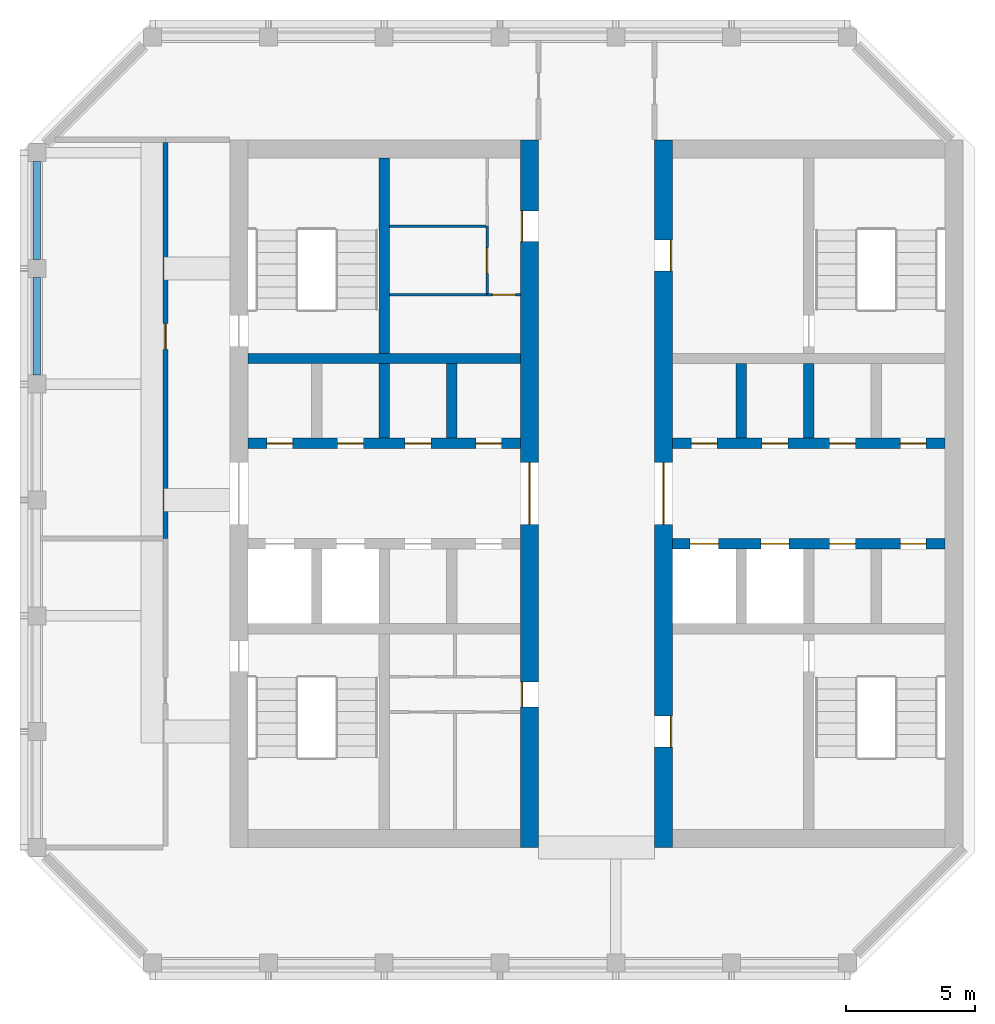
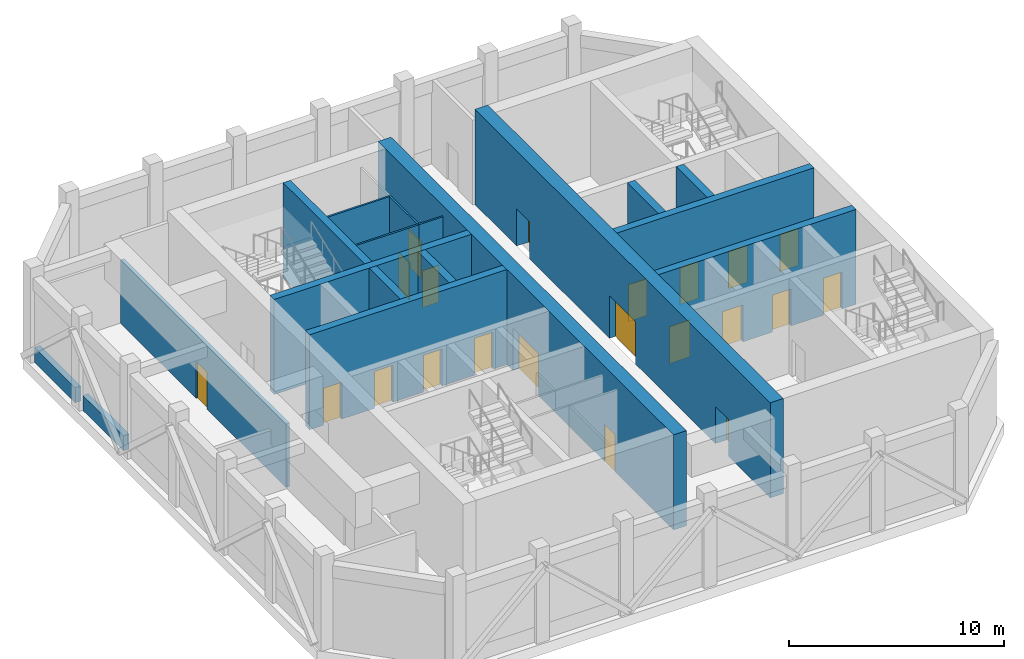
# One storey, part 3 of 7: 21 doors, 18 walls, 21 openings.
"""IFC4 building model written with IfcOpenShell, lengths in metres."""

from ifc_helpers import new_model, si_unit, direction, frame, frame_2d, origin, place, context, subcontext, project, spatial, rectangle, extrude, material, layer, layer_set, type_object, element, fill, save


model = new_model("IFC4")

# Units and contexts
model_context = context("Model", 3, precision=1e-05, world=origin(), true_north=direction((0.0, 1.0)))
body_context = subcontext(model_context, "Body", "Model", "MODEL_VIEW")
ifc_project = project(units=[si_unit("LENGTHUNIT", "METRE"), si_unit("AREAUNIT", "SQUARE_METRE"), si_unit("VOLUMEUNIT", "CUBIC_METRE"), si_unit("PLANEANGLEUNIT", "RADIAN"), si_unit("MASSUNIT", "GRAM", prefix="KILO")], contexts=[model_context])

# Site, building, storey
site_placement = place(None, origin())
site = spatial("IfcSite", under=ifc_project, at=site_placement, CompositionType="ELEMENT")
building_placement = place(site_placement, origin())
building = spatial("IfcBuilding", under=site, at=building_placement, Name="Corbel Stack Research Tower", CompositionType="ELEMENT")
storey_placement = place(building_placement, frame((0.0, 0.0, 306.39990234375)))
storey = spatial("IfcBuildingStorey", under=building, at=storey_placement, Name="L69", CompositionType="ELEMENT", Elevation=306.39990234375)

# Wall, opening, door
ifc_material_1 = material(Name="Concrete blockwork C20/25", Category="masonry")
ifc_layer_1 = layer(ifc_material_1, 0.199951171875)
ifc_layer_set_1 = layer_set([ifc_layer_1], Name="Concrete blockwork C20/25")
wall_type_1 = type_object("IfcWallType", Name="Blockwork partition 200", PredefinedType="PARTITIONING", material=ifc_layer_set_1)
wall_1_placement = place(storey_placement, frame((-13.0, 3.0, 0.0), z_axis=(0.0, 0.0, 1.0), x_axis=(0.0, 1.0, 0.0)))
wall_1 = element("IfcWall", 1, at=wall_1_placement, inside=storey, type_object=wall_type_1, Name="Partition L69-05", PredefinedType="PARTITIONING", context=body_context, shape_type="SweptSolid", body=[
    extrude(rectangle(XDim=15.39990234375, YDim=0.199951171875, at=frame_2d((7.699951171875, 0.0))), origin(), (0.0, 0.0, 1.0), 3.60009765625),
])
opening_1_placement = place(wall_1_placement, frame((7.35009765625, 0.0, 0.0)))
opening_1 = element("IfcOpeningElement", 2, at=opening_1_placement, cuts=wall_1, Name="Opening D69-02", PredefinedType="OPENING", context=body_context, shape_type="SweptSolid", body=[
    extrude(rectangle(XDim=1.0, YDim=2.10009765625, at=frame_2d((0.5, 1.050048828125))), frame((0.0, 0.10986328125, 0.0), z_axis=(0.0, -1.0, 0.0), x_axis=(1.0, 0.0, 0.0)), (0.0, 0.0, 1.0), 0.219970703125),
])
ifc_material_2 = material(Name="Steel, painted", Category="steel")
door_type_1 = type_object("IfcDoorType", Name="Steel door 1000 x 2100 FD60", OperationType="SINGLE_SWING_LEFT", PredefinedType="DOOR", material=ifc_material_2)
door_1_placement = place(opening_1_placement, origin())
door_1 = element("IfcDoor", 3, at=door_1_placement, inside=storey, type_object=door_type_1, Name="Heat exchanger room door", OperationType="SINGLE_SWING_LEFT", OverallHeight=2.10009765625, OverallWidth=1.0, PredefinedType="DOOR", context=body_context, shape_type="SweptSolid", body=[
    extrude(rectangle(XDim=1.0, YDim=2.10009765625, at=frame_2d((0.5, 1.050048828125))), frame((0.0, 0.02490234375, 0.0), z_axis=(0.0, -1.0, 0.0), x_axis=(1.0, 0.0, 0.0)), (0.0, 0.0, 1.0), 0.050048828125),
])
fill(opening_1, door_1)

# Wall, openings, doors
ifc_material_3 = material(Name="Concrete C60/75", Category="concrete")
ifc_layer_2 = layer(ifc_material_3, 0.39990234375)
ifc_layer_set_2 = layer_set([ifc_layer_2], Name="Concrete C60/75")
wall_type_2 = type_object("IfcWallType", Name="CW-400-60", PredefinedType="SHEAR", material=ifc_layer_set_2)
wall_2_placement = place(storey_placement, frame((-9.800048828125, 6.699951171875, 0.0), z_axis=(0.0, 0.0, 1.0), x_axis=(1.0, 0.0, 0.0)))
wall_2 = element("IfcWall", 4, at=wall_2_placement, inside=storey, type_object=wall_type_2, Name="West core wall, lobby north L69", PredefinedType="SHEAR", context=body_context, shape_type="SweptSolid", body=[
    extrude(rectangle(XDim=10.60009765625, YDim=0.39990234375, at=frame_2d((5.300048828125, 0.0))), origin(), (0.0, 0.0, 1.0), 5.400146484375),
])
opening_2_placement = place(wall_2_placement, frame((0.737548828125, 0.0, 0.0)))
opening_2 = element("IfcOpeningElement", 5, at=opening_2_placement, cuts=wall_2, Name="Opening CR-W54-N1", PredefinedType="OPENING", context=body_context, shape_type="SweptSolid", body=[
    extrude(rectangle(XDim=1.0, YDim=2.10009765625, at=frame_2d((0.5, 1.050048828125))), frame((0.0, 0.2099609375, 0.0), z_axis=(0.0, -1.0, 0.0), x_axis=(1.0, 0.0, 0.0)), (0.0, 0.0, 1.0), 0.419921875),
])
opening_3_placement = place(wall_2_placement, frame((3.487548828125, 0.0, 0.0)))
opening_3 = element("IfcOpeningElement", 6, at=opening_3_placement, cuts=wall_2, Name="Opening CR-W54-N2", PredefinedType="OPENING", context=body_context, shape_type="SweptSolid", body=[
    extrude(rectangle(XDim=1.0, YDim=2.10009765625, at=frame_2d((0.5, 1.050048828125))), frame((0.0, 0.2099609375, 0.0), z_axis=(0.0, -1.0, 0.0), x_axis=(1.0, 0.0, 0.0)), (0.0, 0.0, 1.0), 0.419921875),
])
opening_4_placement = place(wall_2_placement, frame((6.112548828125, 0.0, 0.0)))
opening_4 = element("IfcOpeningElement", 7, at=opening_4_placement, cuts=wall_2, Name="Opening CR-W54-N3", PredefinedType="OPENING", context=body_context, shape_type="SweptSolid", body=[
    extrude(rectangle(XDim=1.0, YDim=2.10009765625, at=frame_2d((0.5, 1.050048828125))), frame((0.0, 0.2099609375, 0.0), z_axis=(0.0, -1.0, 0.0), x_axis=(1.0, 0.0, 0.0)), (0.0, 0.0, 1.0), 0.419921875),
])
opening_5_placement = place(wall_2_placement, frame((8.862548828125, 0.0, 0.0)))
opening_5 = element("IfcOpeningElement", 8, at=opening_5_placement, cuts=wall_2, Name="Opening CR-W54-N4", PredefinedType="OPENING", context=body_context, shape_type="SweptSolid", body=[
    extrude(rectangle(XDim=1.0, YDim=2.10009765625, at=frame_2d((0.5, 1.050048828125))), frame((0.0, 0.2099609375, 0.0), z_axis=(0.0, -1.0, 0.0), x_axis=(1.0, 0.0, 0.0)), (0.0, 0.0, 1.0), 0.419921875),
])
ifc_material_4 = material(Name="Painted steel door", Category="steel")
door_type_2 = type_object("IfcDoorType", Name="Service door 1000 x 2100 FD60 left hand", OperationType="SINGLE_SWING_LEFT", PredefinedType="DOOR", material=ifc_material_4)
door_2_placement = place(opening_2_placement, origin())
door_2 = element("IfcDoor", 9, at=door_2_placement, inside=storey, type_object=door_type_2, Name="Electrical switch room door W core", OperationType="SINGLE_SWING_LEFT", OverallHeight=2.10009765625, OverallWidth=1.0, PredefinedType="DOOR", context=body_context, shape_type="SweptSolid", body=[
    extrude(rectangle(XDim=1.0, YDim=2.10009765625, at=frame_2d((0.5, 1.050048828125))), frame((0.0, 0.02490234375, 0.0), z_axis=(0.0, -1.0, 0.0), x_axis=(1.0, 0.0, 0.0)), (0.0, 0.0, 1.0), 0.050048828125),
])
fill(opening_2, door_2)
door_3_placement = place(opening_4_placement, origin())
door_3 = element("IfcDoor", 10, at=door_3_placement, inside=storey, type_object=door_type_2, Name="Telecom plant room door W core", OperationType="SINGLE_SWING_LEFT", OverallHeight=2.10009765625, OverallWidth=1.0, PredefinedType="DOOR", context=body_context, shape_type="SweptSolid", body=[
    extrude(rectangle(XDim=1.0, YDim=2.10009765625, at=frame_2d((0.5, 1.050048828125))), frame((0.0, 0.02490234375, 0.0), z_axis=(0.0, -1.0, 0.0), x_axis=(1.0, 0.0, 0.0)), (0.0, 0.0, 1.0), 0.050048828125),
])
fill(opening_4, door_3)
ifc_material_5 = material(Name="Painted steel door", Category="steel")
door_type_3 = type_object("IfcDoorType", Name="Service door 1000 x 2100 FD60 right hand", OperationType="SINGLE_SWING_RIGHT", PredefinedType="DOOR", material=ifc_material_5)
door_4_placement = place(opening_3_placement, origin())
door_4 = element("IfcDoor", 11, at=door_4_placement, inside=storey, type_object=door_type_3, Name="Electrical switch room door W core", OperationType="SINGLE_SWING_RIGHT", OverallHeight=2.10009765625, OverallWidth=1.0, PredefinedType="DOOR", context=body_context, shape_type="SweptSolid", body=[
    extrude(rectangle(XDim=1.0, YDim=2.10009765625, at=frame_2d((0.5, 1.050048828125))), frame((0.0, 0.02490234375, 0.0), z_axis=(0.0, -1.0, 0.0), x_axis=(1.0, 0.0, 0.0)), (0.0, 0.0, 1.0), 0.050048828125),
])
fill(opening_3, door_4)
door_5_placement = place(opening_5_placement, origin())
door_5 = element("IfcDoor", 12, at=door_5_placement, inside=storey, type_object=door_type_3, Name="Telecom plant room door W core", OperationType="SINGLE_SWING_RIGHT", OverallHeight=2.10009765625, OverallWidth=1.0, PredefinedType="DOOR", context=body_context, shape_type="SweptSolid", body=[
    extrude(rectangle(XDim=1.0, YDim=2.10009765625, at=frame_2d((0.5, 1.050048828125))), frame((0.0, 0.02490234375, 0.0), z_axis=(0.0, -1.0, 0.0), x_axis=(1.0, 0.0, 0.0)), (0.0, 0.0, 1.0), 0.050048828125),
])
fill(opening_5, door_5)

# Walls
wall_3_placement = place(storey_placement, frame((-9.800048828125, 10.0, 0.0), z_axis=(0.0, 0.0, 1.0), x_axis=(1.0, 0.0, 0.0)))
element("IfcWall", 13, at=wall_3_placement, inside=storey, type_object=wall_type_2, Name="West core wall, north row back L69", PredefinedType="SHEAR", context=body_context, shape_type="SweptSolid", body=[
    extrude(rectangle(XDim=10.60009765625, YDim=0.39990234375, at=frame_2d((5.300048828125, 0.0))), origin(), (0.0, 0.0, 1.0), 5.400146484375),
])
for number, where, z_axis, x_axis, name in (
    (14, (-4.5, 6.89990234375, 0.0), (0.0, 0.0, 1.0), (0.0, 1.0, 0.0), "West core wall, north shaft 2 L69"),
    (15, (-1.875, 6.89990234375, 0.0), (0.0, 0.0, 1.0), (0.0, 1.0, 0.0), "West core wall, north shaft 3 L69"),
):
    element("IfcWall", number, at=place(storey_placement, frame(where, z_axis=z_axis, x_axis=x_axis)), inside=storey, type_object=wall_type_2, Name=name, PredefinedType="SHEAR", context=body_context, shape_type="SweptSolid", body=[
        extrude(rectangle(XDim=2.900146484375, YDim=0.39990234375, at=frame_2d((1.4501953125, 0.0))), origin(), (0.0, 0.0, 1.0), 5.400146484375),
    ])
wall_4_placement = place(storey_placement, frame((-4.5, 10.199951171875, 0.0), z_axis=(0.0, 0.0, 1.0), x_axis=(0.0, 1.0, 0.0)))
element("IfcWall", 16, at=wall_4_placement, inside=storey, type_object=wall_type_2, Name="West core wall, north stair and riser L69", PredefinedType="SHEAR", context=body_context, shape_type="SweptSolid", body=[
    extrude(rectangle(XDim=7.60009765625, YDim=0.39990234375, at=frame_2d((3.800048828125, 0.0))), origin(), (0.0, 0.0, 1.0), 5.400146484375),
])

# Wall, openings, doors
wall_5_placement = place(storey_placement, frame((6.699951171875, 2.800048828125, 0.0), z_axis=(0.0, 0.0, 1.0), x_axis=(1.0, 0.0, 0.0)))
wall_5 = element("IfcWall", 17, at=wall_5_placement, inside=storey, type_object=wall_type_2, Name="East core wall, lobby south L69", PredefinedType="SHEAR", context=body_context, shape_type="SweptSolid", body=[
    extrude(rectangle(XDim=10.60009765625, YDim=0.39990234375, at=frame_2d((5.300048828125, 0.0))), origin(), (0.0, 0.0, 1.0), 5.400146484375),
])
opening_6_placement = place(wall_5_placement, frame((0.6875, 0.0, 0.0)))
opening_6 = element("IfcOpeningElement", 18, at=opening_6_placement, cuts=wall_5, Name="Opening LD-FS2", PredefinedType="OPENING", context=body_context, shape_type="SweptSolid", body=[
    extrude(rectangle(XDim=1.10009765625, YDim=2.10009765625, at=frame_2d((0.550048828125, 1.050048828125))), frame((0.0, 0.2099609375, 0.0), z_axis=(0.0, -1.0, 0.0), x_axis=(1.0, 0.0, 0.0)), (0.0, 0.0, 1.0), 0.419921875),
])
opening_7_placement = place(wall_5_placement, frame((3.4375, 0.0, 0.0)))
opening_7 = element("IfcOpeningElement", 19, at=opening_7_placement, cuts=wall_5, Name="Opening LD-GL2", PredefinedType="OPENING", context=body_context, shape_type="SweptSolid", body=[
    extrude(rectangle(XDim=1.10009765625, YDim=2.10009765625, at=frame_2d((0.550048828125, 1.050048828125))), frame((0.0, 0.2099609375, 0.0), z_axis=(0.0, -1.0, 0.0), x_axis=(1.0, 0.0, 0.0)), (0.0, 0.0, 1.0), 0.419921875),
])
opening_8_placement = place(wall_5_placement, frame((6.112548828125, 0.0, 0.0)))
opening_8 = element("IfcOpeningElement", 20, at=opening_8_placement, cuts=wall_5, Name="Opening CR-E54v-S3", PredefinedType="OPENING", context=body_context, shape_type="SweptSolid", body=[
    extrude(rectangle(XDim=1.0, YDim=2.10009765625, at=frame_2d((0.5, 1.050048828125))), frame((0.0, 0.2099609375, 0.0), z_axis=(0.0, -1.0, 0.0), x_axis=(1.0, 0.0, 0.0)), (0.0, 0.0, 1.0), 0.419921875),
])
opening_9_placement = place(wall_5_placement, frame((8.862548828125, 0.0, 0.0)))
opening_9 = element("IfcOpeningElement", 21, at=opening_9_placement, cuts=wall_5, Name="Opening CR-E54v-S4", PredefinedType="OPENING", context=body_context, shape_type="SweptSolid", body=[
    extrude(rectangle(XDim=1.0, YDim=2.10009765625, at=frame_2d((0.5, 1.050048828125))), frame((0.0, 0.2099609375, 0.0), z_axis=(0.0, -1.0, 0.0), x_axis=(1.0, 0.0, 0.0)), (0.0, 0.0, 1.0), 0.419921875),
])
ifc_material_6 = material(Name="Stainless steel landing door", Category="steel")
door_type_4 = type_object("IfcDoorType", Name="Lift landing door 1100 x 2100", OperationType="DOUBLE_DOOR_SLIDING", PredefinedType="DOOR", material=ifc_material_6)
door_6_placement = place(opening_6_placement, origin())
door_6 = element("IfcDoor", 22, at=door_6_placement, inside=storey, type_object=door_type_4, Name="Landing door FS2", OperationType="DOUBLE_DOOR_SLIDING", OverallHeight=2.10009765625, OverallWidth=1.10009765625, PredefinedType="DOOR", context=body_context, shape_type="SweptSolid", body=[
    extrude(rectangle(XDim=1.10009765625, YDim=2.10009765625, at=frame_2d((0.550048828125, 1.050048828125))), frame((0.0, 0.02490234375, 0.0), z_axis=(0.0, -1.0, 0.0), x_axis=(1.0, 0.0, 0.0)), (0.0, 0.0, 1.0), 0.050048828125),
])
fill(opening_6, door_6)
door_7_placement = place(opening_7_placement, origin())
door_7 = element("IfcDoor", 23, at=door_7_placement, inside=storey, type_object=door_type_4, Name="Landing door GL2", OperationType="DOUBLE_DOOR_SLIDING", OverallHeight=2.10009765625, OverallWidth=1.10009765625, PredefinedType="DOOR", context=body_context, shape_type="SweptSolid", body=[
    extrude(rectangle(XDim=1.10009765625, YDim=2.10009765625, at=frame_2d((0.550048828125, 1.050048828125))), frame((0.0, 0.02490234375, 0.0), z_axis=(0.0, -1.0, 0.0), x_axis=(1.0, 0.0, 0.0)), (0.0, 0.0, 1.0), 0.050048828125),
])
fill(opening_7, door_7)
door_8_placement = place(opening_8_placement, origin())
door_8 = element("IfcDoor", 24, at=door_8_placement, inside=storey, type_object=door_type_2, Name="Mechanical room door E core", OperationType="SINGLE_SWING_LEFT", OverallHeight=2.10009765625, OverallWidth=1.0, PredefinedType="DOOR", context=body_context, shape_type="SweptSolid", body=[
    extrude(rectangle(XDim=1.0, YDim=2.10009765625, at=frame_2d((0.5, 1.050048828125))), frame((0.0, 0.02490234375, 0.0), z_axis=(0.0, -1.0, 0.0), x_axis=(1.0, 0.0, 0.0)), (0.0, 0.0, 1.0), 0.050048828125),
])
fill(opening_8, door_8)
door_9_placement = place(opening_9_placement, origin())
door_9 = element("IfcDoor", 25, at=door_9_placement, inside=storey, type_object=door_type_3, Name="Mechanical room door E core", OperationType="SINGLE_SWING_RIGHT", OverallHeight=2.10009765625, OverallWidth=1.0, PredefinedType="DOOR", context=body_context, shape_type="SweptSolid", body=[
    extrude(rectangle(XDim=1.0, YDim=2.10009765625, at=frame_2d((0.5, 1.050048828125))), frame((0.0, 0.02490234375, 0.0), z_axis=(0.0, -1.0, 0.0), x_axis=(1.0, 0.0, 0.0)), (0.0, 0.0, 1.0), 0.050048828125),
])
fill(opening_9, door_9)

wall_6_placement = place(storey_placement, frame((6.699951171875, 6.699951171875, 0.0), z_axis=(0.0, 0.0, 1.0), x_axis=(1.0, 0.0, 0.0)))
wall_6 = element("IfcWall", 26, at=wall_6_placement, inside=storey, type_object=wall_type_2, Name="East core wall, lobby north L69", PredefinedType="SHEAR", context=body_context, shape_type="SweptSolid", body=[
    extrude(rectangle(XDim=10.60009765625, YDim=0.39990234375, at=frame_2d((5.300048828125, 0.0))), origin(), (0.0, 0.0, 1.0), 5.400146484375),
])
opening_10_placement = place(wall_6_placement, frame((0.737548828125, 0.0, 0.0)))
opening_10 = element("IfcOpeningElement", 27, at=opening_10_placement, cuts=wall_6, Name="Opening CR-E54v-N1", PredefinedType="OPENING", context=body_context, shape_type="SweptSolid", body=[
    extrude(rectangle(XDim=1.0, YDim=2.10009765625, at=frame_2d((0.5, 1.050048828125))), frame((0.0, 0.2099609375, 0.0), z_axis=(0.0, -1.0, 0.0), x_axis=(1.0, 0.0, 0.0)), (0.0, 0.0, 1.0), 0.419921875),
])
opening_11_placement = place(wall_6_placement, frame((3.487548828125, 0.0, 0.0)))
opening_11 = element("IfcOpeningElement", 28, at=opening_11_placement, cuts=wall_6, Name="Opening CR-E54v-N2", PredefinedType="OPENING", context=body_context, shape_type="SweptSolid", body=[
    extrude(rectangle(XDim=1.0, YDim=2.10009765625, at=frame_2d((0.5, 1.050048828125))), frame((0.0, 0.2099609375, 0.0), z_axis=(0.0, -1.0, 0.0), x_axis=(1.0, 0.0, 0.0)), (0.0, 0.0, 1.0), 0.419921875),
])
opening_12_placement = place(wall_6_placement, frame((6.112548828125, 0.0, 0.0)))
opening_12 = element("IfcOpeningElement", 29, at=opening_12_placement, cuts=wall_6, Name="Opening CR-E54v-N3", PredefinedType="OPENING", context=body_context, shape_type="SweptSolid", body=[
    extrude(rectangle(XDim=1.0, YDim=2.10009765625, at=frame_2d((0.5, 1.050048828125))), frame((0.0, 0.2099609375, 0.0), z_axis=(0.0, -1.0, 0.0), x_axis=(1.0, 0.0, 0.0)), (0.0, 0.0, 1.0), 0.419921875),
])
opening_13_placement = place(wall_6_placement, frame((8.862548828125, 0.0, 0.0)))
opening_13 = element("IfcOpeningElement", 30, at=opening_13_placement, cuts=wall_6, Name="Opening CR-E54v-N4", PredefinedType="OPENING", context=body_context, shape_type="SweptSolid", body=[
    extrude(rectangle(XDim=1.0, YDim=2.10009765625, at=frame_2d((0.5, 1.050048828125))), frame((0.0, 0.2099609375, 0.0), z_axis=(0.0, -1.0, 0.0), x_axis=(1.0, 0.0, 0.0)), (0.0, 0.0, 1.0), 0.419921875),
])
door_10_placement = place(opening_10_placement, origin())
door_10 = element("IfcDoor", 31, at=door_10_placement, inside=storey, type_object=door_type_2, Name="Mechanical room door E core", OperationType="SINGLE_SWING_LEFT", OverallHeight=2.10009765625, OverallWidth=1.0, PredefinedType="DOOR", context=body_context, shape_type="SweptSolid", body=[
    extrude(rectangle(XDim=1.0, YDim=2.10009765625, at=frame_2d((0.5, 1.050048828125))), frame((0.0, 0.02490234375, 0.0), z_axis=(0.0, -1.0, 0.0), x_axis=(1.0, 0.0, 0.0)), (0.0, 0.0, 1.0), 0.050048828125),
])
fill(opening_10, door_10)
door_11_placement = place(opening_12_placement, origin())
door_11 = element("IfcDoor", 32, at=door_11_placement, inside=storey, type_object=door_type_2, Name="Electrical switch room door E core", OperationType="SINGLE_SWING_LEFT", OverallHeight=2.10009765625, OverallWidth=1.0, PredefinedType="DOOR", context=body_context, shape_type="SweptSolid", body=[
    extrude(rectangle(XDim=1.0, YDim=2.10009765625, at=frame_2d((0.5, 1.050048828125))), frame((0.0, 0.02490234375, 0.0), z_axis=(0.0, -1.0, 0.0), x_axis=(1.0, 0.0, 0.0)), (0.0, 0.0, 1.0), 0.050048828125),
])
fill(opening_12, door_11)
door_12_placement = place(opening_11_placement, origin())
door_12 = element("IfcDoor", 33, at=door_12_placement, inside=storey, type_object=door_type_3, Name="Electrical switch room door E core", OperationType="SINGLE_SWING_RIGHT", OverallHeight=2.10009765625, OverallWidth=1.0, PredefinedType="DOOR", context=body_context, shape_type="SweptSolid", body=[
    extrude(rectangle(XDim=1.0, YDim=2.10009765625, at=frame_2d((0.5, 1.050048828125))), frame((0.0, 0.02490234375, 0.0), z_axis=(0.0, -1.0, 0.0), x_axis=(1.0, 0.0, 0.0)), (0.0, 0.0, 1.0), 0.050048828125),
])
fill(opening_11, door_12)
door_13_placement = place(opening_13_placement, origin())
door_13 = element("IfcDoor", 34, at=door_13_placement, inside=storey, type_object=door_type_3, Name="Electrical switch room door E core", OperationType="SINGLE_SWING_RIGHT", OverallHeight=2.10009765625, OverallWidth=1.0, PredefinedType="DOOR", context=body_context, shape_type="SweptSolid", body=[
    extrude(rectangle(XDim=1.0, YDim=2.10009765625, at=frame_2d((0.5, 1.050048828125))), frame((0.0, 0.02490234375, 0.0), z_axis=(0.0, -1.0, 0.0), x_axis=(1.0, 0.0, 0.0)), (0.0, 0.0, 1.0), 0.050048828125),
])
fill(opening_13, door_13)

# Walls
for number, where, z_axis, x_axis, name in (
    (35, (9.375, 6.89990234375, 0.0), (0.0, 0.0, 1.0), (0.0, 1.0, 0.0), "East core wall, north shaft 1 L69"),
    (36, (12.0, 6.89990234375, 0.0), (0.0, 0.0, 1.0), (0.0, 1.0, 0.0), "East core wall, north shaft 2 L69"),
):
    element("IfcWall", number, at=place(storey_placement, frame(where, z_axis=z_axis, x_axis=x_axis)), inside=storey, type_object=wall_type_2, Name=name, PredefinedType="SHEAR", context=body_context, shape_type="SweptSolid", body=[
        extrude(rectangle(XDim=2.900146484375, YDim=0.39990234375, at=frame_2d((1.4501953125, 0.0))), origin(), (0.0, 0.0, 1.0), 5.400146484375),
    ])

# Wall, openings, doors
ifc_material_7 = material(Name="Concrete C60/75", Category="concrete")
ifc_layer_3 = layer(ifc_material_7, 0.699951171875)
ifc_layer_set_3 = layer_set([ifc_layer_3], Name="Concrete C60/75")
wall_type_3 = type_object("IfcWallType", Name="CW-700-60", PredefinedType="SHEAR", material=ifc_layer_set_3)
wall_7_placement = place(storey_placement, frame((1.14990234375, -9.0, 0.0), z_axis=(0.0, 0.0, 1.0), x_axis=(0.0, 1.0, 0.0)))
wall_7 = element("IfcWall", 37, at=wall_7_placement, inside=storey, type_object=wall_type_3, Name="West core wall, east face L69", PredefinedType="SHEAR", context=body_context, shape_type="SweptSolid", body=[
    extrude(rectangle(XDim=27.5, YDim=0.699951171875, at=frame_2d((13.75, 0.0))), origin(), (0.0, 0.0, 1.0), 5.400146484375),
])
opening_14_placement = place(wall_7_placement, frame((12.550048828125, 0.0, 0.0)))
opening_14 = element("IfcOpeningElement", 38, at=opening_14_placement, cuts=wall_7, Name="Opening CD-W-E", PredefinedType="OPENING", context=body_context, shape_type="SweptSolid", body=[
    extrude(rectangle(XDim=2.39990234375, YDim=2.39990234375, at=frame_2d((1.199951171875, 1.199951171875))), frame((0.0, 0.35986328125, 0.0), z_axis=(0.0, -1.0, 0.0), x_axis=(1.0, 0.0, 0.0)), (0.0, 0.0, 1.0), 0.719970703125),
])
opening_15_placement = place(wall_7_placement, frame((5.4599609375, 0.0, 0.0)))
opening_15 = element("IfcOpeningElement", 39, at=opening_15_placement, cuts=wall_7, Name="Opening CR-W54-W1-968", PredefinedType="OPENING", context=body_context, shape_type="SweptSolid", body=[
    extrude(rectangle(XDim=0.968017578125, YDim=2.10009765625, at=frame_2d((0.48388671875, 1.050048828125))), frame((0.0, 0.35986328125, 0.0), z_axis=(0.0, -1.0, 0.0), x_axis=(1.0, 0.0, 0.0)), (0.0, 0.0, 1.0), 0.719970703125),
])
opening_16_placement = place(wall_7_placement, frame((23.5400390625, 0.0, 0.0)))
opening_16 = element("IfcOpeningElement", 40, at=opening_16_placement, cuts=wall_7, Name="Opening CR-W54-R2-1200", PredefinedType="OPENING", context=body_context, shape_type="SweptSolid", body=[
    extrude(rectangle(XDim=1.199951171875, YDim=2.10009765625, at=frame_2d((0.60009765625, 1.050048828125))), frame((0.0, 0.35986328125, 0.0), z_axis=(0.0, -1.0, 0.0), x_axis=(1.0, 0.0, 0.0)), (0.0, 0.0, 1.0), 0.719970703125),
])
ifc_material_8 = material(Name="Painted steel fire door", Category="steel")
door_type_5 = type_object("IfcDoorType", Name="Lobby door pair 2400 x 2400 FD30S", OperationType="DOUBLE_DOOR_DOUBLE_SWING", PredefinedType="DOOR", material=ifc_material_8)
door_14_placement = place(opening_14_placement, origin())
door_14 = element("IfcDoor", 41, at=door_14_placement, inside=storey, type_object=door_type_5, Name="Lift lobby door W core E", OperationType="DOUBLE_DOOR_DOUBLE_SWING", OverallHeight=2.39990234375, OverallWidth=2.39990234375, PredefinedType="DOOR", context=body_context, shape_type="SweptSolid", body=[
    extrude(rectangle(XDim=2.39990234375, YDim=2.39990234375, at=frame_2d((1.199951171875, 1.199951171875))), frame((0.0, 0.02490234375, 0.0), z_axis=(0.0, -1.0, 0.0), x_axis=(1.0, 0.0, 0.0)), (0.0, 0.0, 1.0), 0.050048828125),
])
fill(opening_14, door_14)
ifc_material_9 = material(Name="Painted steel door", Category="steel")
door_type_6 = type_object("IfcDoorType", Name="Service door 1200 x 2100 FD30 right hand", OperationType="SINGLE_SWING_RIGHT", PredefinedType="DOOR", material=ifc_material_9)
door_15_placement = place(opening_16_placement, origin())
door_15 = element("IfcDoor", 42, at=door_15_placement, inside=storey, type_object=door_type_6, Name="Plant passage door W core", OperationType="SINGLE_SWING_RIGHT", OverallHeight=2.10009765625, OverallWidth=1.199951171875, PredefinedType="DOOR", context=body_context, shape_type="SweptSolid", body=[
    extrude(rectangle(XDim=1.199951171875, YDim=2.10009765625, at=frame_2d((0.60009765625, 1.050048828125))), frame((0.0, 0.3251953125, 0.0), z_axis=(0.0, -1.0, 0.0), x_axis=(1.0, 0.0, 0.0)), (0.0, 0.0, 1.0), 0.050048828125),
])
fill(opening_16, door_15)
ifc_material_10 = material(Name="Painted timber door", Category="wood")
door_type_7 = type_object("IfcDoorType", Name="WC door 968 x 2100 left hand", OperationType="SINGLE_SWING_LEFT", PredefinedType="DOOR", material=ifc_material_10)
door_16_placement = place(opening_15_placement, origin())
door_16 = element("IfcDoor", 43, at=door_16_placement, inside=storey, type_object=door_type_7, Name="WC lobby door W core", OperationType="SINGLE_SWING_LEFT", OverallHeight=2.10009765625, OverallWidth=0.968017578125, PredefinedType="DOOR", context=body_context, shape_type="SweptSolid", body=[
    extrude(rectangle(XDim=0.968017578125, YDim=2.10009765625, at=frame_2d((0.48388671875, 1.050048828125))), frame((0.0, 0.3251953125, 0.0), z_axis=(0.0, -1.0, 0.0), x_axis=(1.0, 0.0, 0.0)), (0.0, 0.0, 1.0), 0.050048828125),
])
fill(opening_15, door_16)

wall_8_placement = place(storey_placement, frame((6.35009765625, -9.0, 0.0), z_axis=(0.0, 0.0, 1.0), x_axis=(0.0, 1.0, 0.0)))
wall_8 = element("IfcWall", 44, at=wall_8_placement, inside=storey, type_object=wall_type_3, Name="East core wall, west face L69", PredefinedType="SHEAR", context=body_context, shape_type="SweptSolid", body=[
    extrude(rectangle(XDim=27.5, YDim=0.699951171875, at=frame_2d((13.75, 0.0))), origin(), (0.0, 0.0, 1.0), 5.400146484375),
])
opening_17_placement = place(wall_8_placement, frame((12.550048828125, 0.0, 0.0)))
opening_17 = element("IfcOpeningElement", 45, at=opening_17_placement, cuts=wall_8, Name="Opening CD-E-W", PredefinedType="OPENING", context=body_context, shape_type="SweptSolid", body=[
    extrude(rectangle(XDim=2.39990234375, YDim=2.39990234375, at=frame_2d((1.199951171875, 1.199951171875))), frame((0.0, 0.35986328125, 0.0), z_axis=(0.0, -1.0, 0.0), x_axis=(1.0, 0.0, 0.0)), (0.0, 0.0, 1.0), 0.719970703125),
])
opening_18_placement = place(wall_8_placement, frame((3.89990234375, 0.0, 0.0)))
opening_18 = element("IfcOpeningElement", 46, at=opening_18_placement, cuts=wall_8, Name="Opening CR-E54v-W1-1200", PredefinedType="OPENING", context=body_context, shape_type="SweptSolid", body=[
    extrude(rectangle(XDim=1.199951171875, YDim=2.10009765625, at=frame_2d((0.60009765625, 1.050048828125))), frame((0.0, 0.35986328125, 0.0), z_axis=(0.0, -1.0, 0.0), x_axis=(1.0, 0.0, 0.0)), (0.0, 0.0, 1.0), 0.719970703125),
])
opening_19_placement = place(wall_8_placement, frame((22.39990234375, 0.0, 0.0)))
opening_19 = element("IfcOpeningElement", 47, at=opening_19_placement, cuts=wall_8, Name="Opening CR-E54v-R1-1200", PredefinedType="OPENING", context=body_context, shape_type="SweptSolid", body=[
    extrude(rectangle(XDim=1.199951171875, YDim=2.10009765625, at=frame_2d((0.60009765625, 1.050048828125))), frame((0.0, 0.35986328125, 0.0), z_axis=(0.0, -1.0, 0.0), x_axis=(1.0, 0.0, 0.0)), (0.0, 0.0, 1.0), 0.719970703125),
])
door_17_placement = place(opening_17_placement, origin())
door_17 = element("IfcDoor", 48, at=door_17_placement, inside=storey, type_object=door_type_5, Name="Lift lobby door E core W", OperationType="DOUBLE_DOOR_DOUBLE_SWING", OverallHeight=2.39990234375, OverallWidth=2.39990234375, PredefinedType="DOOR", context=body_context, shape_type="SweptSolid", body=[
    extrude(rectangle(XDim=2.39990234375, YDim=2.39990234375, at=frame_2d((1.199951171875, 1.199951171875))), frame((0.0, 0.02490234375, 0.0), z_axis=(0.0, -1.0, 0.0), x_axis=(1.0, 0.0, 0.0)), (0.0, 0.0, 1.0), 0.050048828125),
])
fill(opening_17, door_17)
ifc_material_11 = material(Name="Painted steel door", Category="steel")
door_type_8 = type_object("IfcDoorType", Name="Service door 1200 x 2100 FD60 right hand", OperationType="SINGLE_SWING_RIGHT", PredefinedType="DOOR", material=ifc_material_11)
door_18_placement = place(opening_18_placement, origin())
door_18 = element("IfcDoor", 49, at=door_18_placement, inside=storey, type_object=door_type_8, Name="Stair vestibule door E core", OperationType="SINGLE_SWING_RIGHT", OverallHeight=2.10009765625, OverallWidth=1.199951171875, PredefinedType="DOOR", context=body_context, shape_type="SweptSolid", body=[
    extrude(rectangle(XDim=1.199951171875, YDim=2.10009765625, at=frame_2d((0.60009765625, 1.050048828125))), frame((0.0, -0.27490234375, 0.0), z_axis=(0.0, -1.0, 0.0), x_axis=(1.0, 0.0, 0.0)), (0.0, 0.0, 1.0), 0.050048828125),
])
fill(opening_18, door_18)
door_19_placement = place(opening_19_placement, origin())
door_19 = element("IfcDoor", 50, at=door_19_placement, inside=storey, type_object=door_type_8, Name="Stair vestibule door E core", OperationType="SINGLE_SWING_RIGHT", OverallHeight=2.10009765625, OverallWidth=1.199951171875, PredefinedType="DOOR", context=body_context, shape_type="SweptSolid", body=[
    extrude(rectangle(XDim=1.199951171875, YDim=2.10009765625, at=frame_2d((0.60009765625, 1.050048828125))), frame((0.0, -0.27490234375, 0.0), z_axis=(0.0, -1.0, 0.0), x_axis=(1.0, 0.0, 0.0)), (0.0, 0.0, 1.0), 0.050048828125),
])
fill(opening_19, door_19)

# Wall, opening, door
ifc_material_12 = material(Name="Gypsum board")
ifc_layer_4 = layer(ifc_material_12, 0.10009765625)
ifc_layer_set_4 = layer_set([ifc_layer_4], Name="Gypsum board")
wall_type_4 = type_object("IfcWallType", Name="Core partition 100", PredefinedType="PARTITIONING", material=ifc_layer_set_4)
wall_9_placement = place(storey_placement, frame((-0.5, 12.47998046875, 0.0), z_axis=(0.0, 0.0, 1.0), x_axis=(1.0, 0.0, 0.0)))
wall_9 = element("IfcWall", 51, at=wall_9_placement, inside=storey, type_object=wall_type_4, Name="Core partition W", PredefinedType="PARTITIONING", context=body_context, shape_type="SweptSolid", body=[
    extrude(rectangle(XDim=1.300048828125, YDim=0.10009765625, at=frame_2d((0.64990234375, 0.0))), origin(), (0.0, 0.0, 1.0), 4.800048828125),
])
opening_20_placement = place(wall_9_placement, frame((0.199951171875, 0.0, 0.0)))
opening_20 = element("IfcOpeningElement", 52, at=opening_20_placement, cuts=wall_9, Name="Opening CR-W54-R1-900", PredefinedType="OPENING", context=body_context, shape_type="SweptSolid", body=[
    extrude(rectangle(XDim=0.89990234375, YDim=2.10009765625, at=frame_2d((0.449951171875, 1.050048828125))), frame((0.0, 0.06005859375, 0.0), z_axis=(0.0, -1.0, 0.0), x_axis=(1.0, 0.0, 0.0)), (0.0, 0.0, 1.0), 0.1201171875),
])
ifc_material_13 = material(Name="Painted steel door", Category="steel")
door_type_9 = type_object("IfcDoorType", Name="Riser door 900 x 2100 FD60 left hand", OperationType="SINGLE_SWING_LEFT", PredefinedType="DOOR", material=ifc_material_13)
door_20_placement = place(opening_20_placement, origin())
door_20 = element("IfcDoor", 53, at=door_20_placement, inside=storey, type_object=door_type_9, Name="Electrical plant riser door W core", OperationType="SINGLE_SWING_LEFT", OverallHeight=2.10009765625, OverallWidth=0.89990234375, PredefinedType="DOOR", context=body_context, shape_type="SweptSolid", body=[
    extrude(rectangle(XDim=0.89990234375, YDim=2.10009765625, at=frame_2d((0.449951171875, 1.050048828125))), frame((0.0, 0.02490234375, 0.0), z_axis=(0.0, -1.0, 0.0), x_axis=(1.0, 0.0, 0.0)), (0.0, 0.0, 1.0), 0.050048828125),
])
fill(opening_20, door_20)

# Wall
wall_10_placement = place(storey_placement, frame((-4.300048828125, 12.47998046875, 0.0), z_axis=(0.0, 0.0, 1.0), x_axis=(1.0, 0.0, 0.0)))
element("IfcWall", 54, at=wall_10_placement, inside=storey, type_object=wall_type_4, Name="Core partition W", PredefinedType="PARTITIONING", context=body_context, shape_type="SweptSolid", body=[
    extrude(rectangle(XDim=3.800048828125, YDim=0.10009765625, at=frame_2d((1.89990234375, 0.0))), origin(), (0.0, 0.0, 1.0), 4.800048828125),
])

# Wall, opening, door
wall_11_placement = place(storey_placement, frame((-0.5, 12.47998046875, 0.0), z_axis=(0.0, 0.0, 1.0), x_axis=(0.0, 1.0, 0.0)))
wall_11 = element("IfcWall", 55, at=wall_11_placement, inside=storey, type_object=wall_type_4, Name="Core partition W", PredefinedType="PARTITIONING", context=body_context, shape_type="SweptSolid", body=[
    extrude(rectangle(XDim=2.659912109375, YDim=0.10009765625, at=frame_2d((1.330078125, 0.0))), origin(), (0.0, 0.0, 1.0), 4.800048828125),
])
opening_21_placement = place(wall_11_placement, frame((0.830078125, 0.0, 0.0)))
opening_21 = element("IfcOpeningElement", 56, at=opening_21_placement, cuts=wall_11, Name="Opening CR-W54-R3-1000", PredefinedType="OPENING", context=body_context, shape_type="SweptSolid", body=[
    extrude(rectangle(XDim=1.0, YDim=2.10009765625, at=frame_2d((0.5, 1.050048828125))), frame((0.0, 0.06005859375, 0.0), z_axis=(0.0, -1.0, 0.0), x_axis=(1.0, 0.0, 0.0)), (0.0, 0.0, 1.0), 0.1201171875),
])
ifc_material_14 = material(Name="Painted steel door", Category="steel")
door_type_10 = type_object("IfcDoorType", Name="Service door 1000 x 2100 FD30 left hand", OperationType="SINGLE_SWING_LEFT", PredefinedType="DOOR", material=ifc_material_14)
door_21_placement = place(opening_21_placement, origin())
door_21 = element("IfcDoor", 57, at=door_21_placement, inside=storey, type_object=door_type_10, Name="Pantry door W core", OperationType="SINGLE_SWING_LEFT", OverallHeight=2.10009765625, OverallWidth=1.0, PredefinedType="DOOR", context=body_context, shape_type="SweptSolid", body=[
    extrude(rectangle(XDim=1.0, YDim=2.10009765625, at=frame_2d((0.5, 1.050048828125))), frame((0.0, 0.02490234375, 0.0), z_axis=(0.0, -1.0, 0.0), x_axis=(1.0, 0.0, 0.0)), (0.0, 0.0, 1.0), 0.050048828125),
])
fill(opening_21, door_21)

# Walls
wall_12_placement = place(storey_placement, frame((-4.300048828125, 15.139892578125, 0.0), z_axis=(0.0, 0.0, 1.0), x_axis=(1.0, 0.0, 0.0)))
element("IfcWall", 58, at=wall_12_placement, inside=storey, type_object=wall_type_4, Name="Core partition W", PredefinedType="PARTITIONING", context=body_context, shape_type="SweptSolid", body=[
    extrude(rectangle(XDim=3.800048828125, YDim=0.10009765625, at=frame_2d((1.89990234375, 0.0))), origin(), (0.0, 0.0, 1.0), 4.800048828125),
])
ifc_material_15 = material(Name="Concrete C45/55", Category="concrete")
ifc_layer_5 = layer(ifc_material_15, 0.300048828125)
ifc_layer_set_5 = layer_set([ifc_layer_5], Name="Concrete C45/55")
wall_type_5 = type_object("IfcWallType", Name="Precast plant wall 300 C45/55", PredefinedType="SOLIDWALL", material=ifc_layer_set_5)
for number, where, z_axis, x_axis, name in (
    (59, (-18.0, 17.64990234375, 0.0), (0.0, 0.0, 1.0), (0.0, -1.0, 0.0), "Plant wall base L69-16"),
    (60, (-18.0, 13.14990234375, 0.0), (0.0, 0.0, 1.0), (0.0, -1.0, 0.0), "Plant wall base L69-17"),
):
    element("IfcWall", number, at=place(storey_placement, frame(where, z_axis=z_axis, x_axis=x_axis)), inside=storey, type_object=wall_type_5, Name=name, PredefinedType="SOLIDWALL", context=body_context, shape_type="SweptSolid", body=[
        extrude(rectangle(XDim=3.7998046875, YDim=0.300048828125, at=frame_2d((1.89990234375, 0.0))), origin(), (0.0, 0.0, 1.0), 0.85009765625),
    ])

save(model, "model.ifc")
